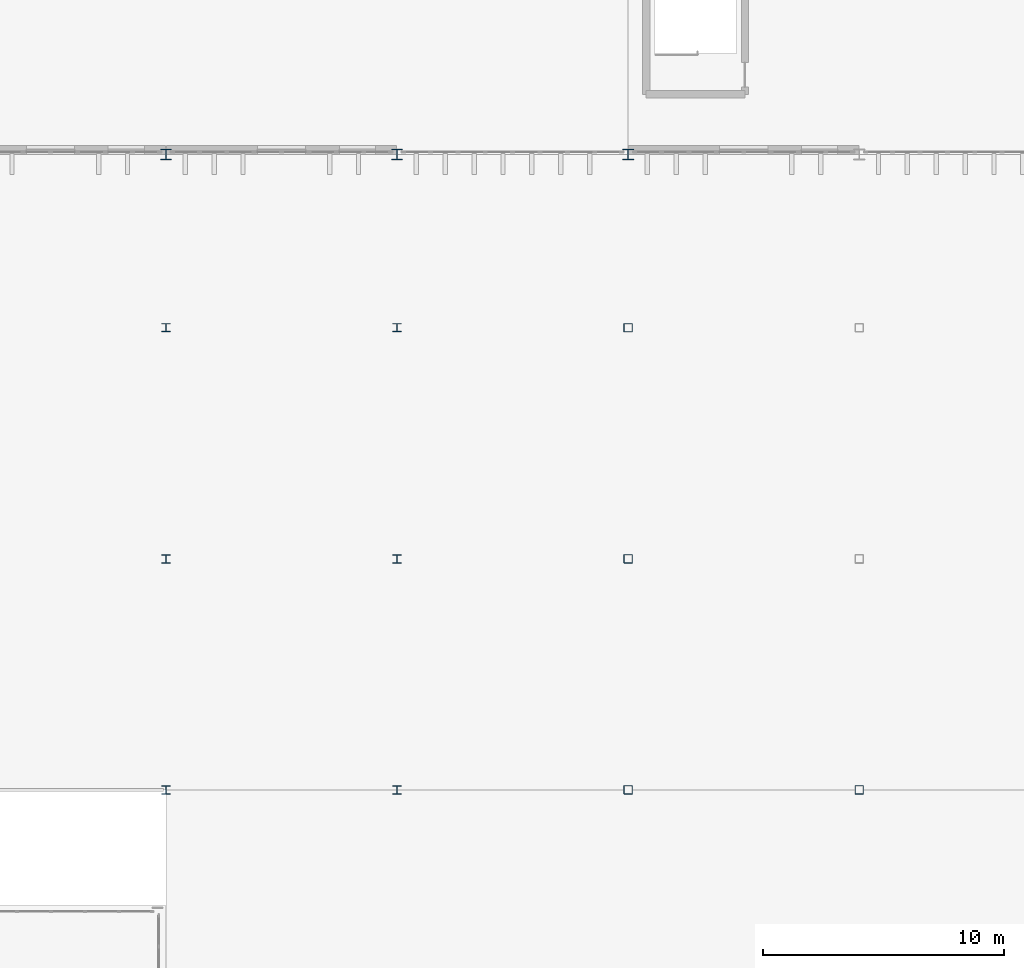
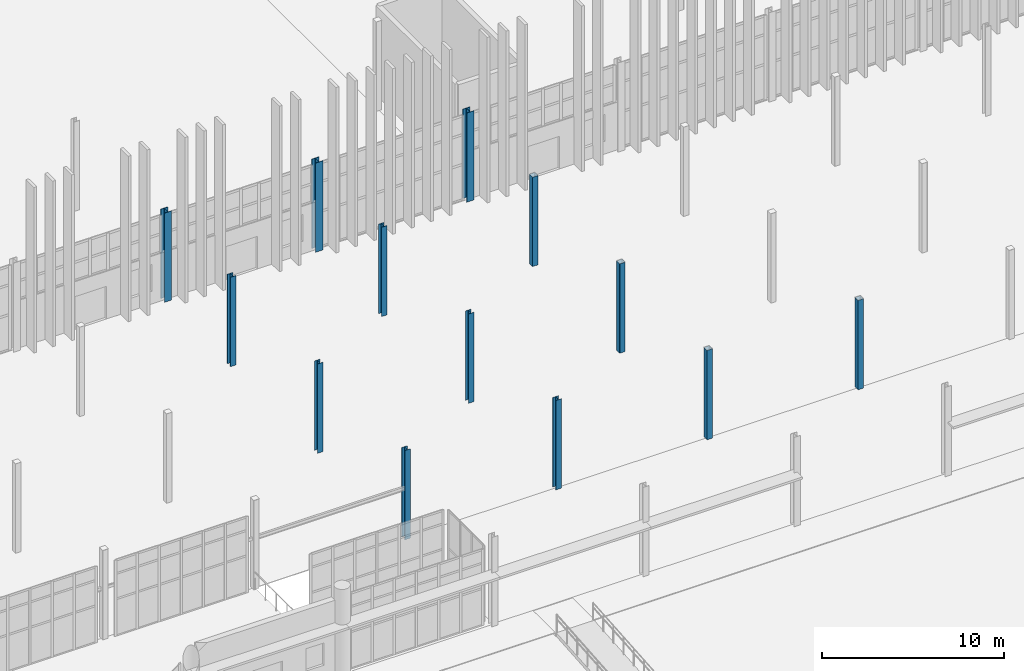
# One storey, part 6 of 139: 13 columns.
"""IFC4 building model written with IfcOpenShell, lengths in metres."""

from ifc_helpers import new_model, si_unit, direction, frame, origin, origin_2d, place, context, subcontext, project, spatial, hollow_rectangle, i_section, extrude, material, material_profile, profile_set, type_object, element, save


model = new_model("IFC4")

# Units and contexts
model_context = context("Model", 3, precision=1e-05, world=origin(), true_north=direction((0.0, 1.0)))
body_context = subcontext(model_context, "Body", "Model", "MODEL_VIEW")
ifc_project = project(units=[si_unit("LENGTHUNIT", "METRE"), si_unit("AREAUNIT", "SQUARE_METRE"), si_unit("VOLUMEUNIT", "CUBIC_METRE"), si_unit("PLANEANGLEUNIT", "RADIAN"), si_unit("MASSUNIT", "GRAM", prefix="KILO")], contexts=[model_context])

# Site, building, storey
site_placement = place(None, origin())
site = spatial("IfcSite", under=ifc_project, at=site_placement, CompositionType="ELEMENT")
building_placement = place(site_placement, origin())
building = spatial("IfcBuilding", under=site, at=building_placement, Name="Yeouljin Market Hall", CompositionType="ELEMENT")
storey_placement = place(building_placement, origin())
storey = spatial("IfcBuildingStorey", under=building, at=storey_placement, Name="L00", CompositionType="ELEMENT", Elevation=0.0)

# Columns
ifc_material_1 = material(Name="Steel SM355", Category="steel")
ifc_material_profile_1 = material_profile(ifc_material_1, i_section(OverallWidth=0.35009765625, OverallDepth=0.35009765625, WebThickness=0.011962890625, FlangeThickness=0.01904296875, FilletRadius=0.02001953125, at=origin_2d()), Name="H-350x350x12x19")
ifc_profile_set_1 = profile_set([ifc_material_profile_1], Name="Steel SM355")
column_type_1 = type_object("IfcColumnType", Name="Col_H-350x350x12x19", PredefinedType="COLUMN", material=ifc_profile_set_1)
for number, where, z_axis, x_axis, name in (
    (1, (64.199951171875, 9.60009765625, 0.0), (0.0, 0.0, 1.0), (1.0, 0.0, 0.0), "Column G-08-01 (L00)"),
    (2, (64.199951171875, 19.199951171875, 0.0), (0.0, 0.0, 1.0), (1.0, 0.0, 0.0), "Column G-08-02 (L00)"),
    (3, (64.199951171875, 28.800048828125, 0.0), (0.0, 0.0, 1.0), (1.0, 0.0, 0.0), "Column G-08-03 (L00)"),
    (4, (73.800048828125, 9.60009765625, 0.0), (0.0, 0.0, 1.0), (1.0, 0.0, 0.0), "Column G-09-01 (L00)"),
    (5, (73.800048828125, 19.199951171875, 0.0), (0.0, 0.0, 1.0), (1.0, 0.0, 0.0), "Column G-09-02 (L00)"),
    (6, (73.800048828125, 28.800048828125, 0.0), (0.0, 0.0, 1.0), (1.0, 0.0, 0.0), "Column G-09-03 (L00)"),
):
    element("IfcColumn", number, at=place(storey_placement, frame(where, z_axis=z_axis, x_axis=x_axis)), inside=storey, type_object=column_type_1, Name=name, PredefinedType="COLUMN", context=body_context, shape_type="SweptSolid", body=[
        extrude(i_section(OverallWidth=0.35009765625, OverallDepth=0.35009765625, WebThickness=0.011962890625, FlangeThickness=0.01904296875, FilletRadius=0.02001953125, at=origin_2d()), origin(), (0.0, 0.0, 1.0), 6.0),
    ])
ifc_material_2 = material(Name="Steel SM355", Category="steel")
ifc_material_profile_2 = material_profile(ifc_material_2, i_section(OverallWidth=0.449951171875, OverallDepth=0.449951171875, WebThickness=0.013916015625, FlangeThickness=0.02392578125, FilletRadius=0.02392578125, at=origin_2d()), Name="H-450x450x14x24")
ifc_profile_set_2 = profile_set([ifc_material_profile_2], Name="Steel SM355")
column_type_2 = type_object("IfcColumnType", Name="Col_H-450x450x14x24", PredefinedType="COLUMN", material=ifc_profile_set_2)
for number, where, z_axis, x_axis, name in (
    (7, (64.199951171875, 36.0, 0.0), (0.0, 0.0, 1.0), (1.0, 0.0, 0.0), "Column G-08-04 (L00)"),
    (8, (73.800048828125, 36.0, 0.0), (0.0, 0.0, 1.0), (1.0, 0.0, 0.0), "Column G-09-04 (L00)"),
    (9, (83.39990234375, 36.0, 0.0), (0.0, 0.0, 1.0), (1.0, 0.0, 0.0), "Column G-10-04 (L00)"),
):
    element("IfcColumn", number, at=place(storey_placement, frame(where, z_axis=z_axis, x_axis=x_axis)), inside=storey, type_object=column_type_2, Name=name, PredefinedType="COLUMN", context=body_context, shape_type="SweptSolid", body=[
        extrude(i_section(OverallWidth=0.449951171875, OverallDepth=0.449951171875, WebThickness=0.013916015625, FlangeThickness=0.02392578125, FilletRadius=0.02392578125, at=origin_2d()), origin(), (0.0, 0.0, 1.0), 6.0),
    ])
ifc_material_3 = material(Name="Steel SM355", Category="steel")
ifc_material_profile_3 = material_profile(ifc_material_3, hollow_rectangle(XDim=0.35009765625, YDim=0.35009765625, WallThickness=0.011962890625, InnerFilletRadius=0.011962890625, OuterFilletRadius=0.01611328125, at=origin_2d()), Name="SHS-350x350x12")
ifc_profile_set_3 = profile_set([ifc_material_profile_3], Name="Steel SM355")
column_type_3 = type_object("IfcColumnType", Name="Col_SHS-350x350x12", PredefinedType="COLUMN", material=ifc_profile_set_3)
for number, where, z_axis, x_axis, name in (
    (10, (83.39990234375, 9.60009765625, 0.0), (0.0, 0.0, 1.0), (1.0, 0.0, 0.0), "Column G-10-01 (L00)"),
    (11, (83.39990234375, 19.199951171875, 0.0), (0.0, 0.0, 1.0), (1.0, 0.0, 0.0), "Column G-10-02 (L00)"),
    (12, (83.39990234375, 28.800048828125, 0.0), (0.0, 0.0, 1.0), (1.0, 0.0, 0.0), "Column G-10-03 (L00)"),
    (13, (93.0, 9.60009765625, 0.0), (0.0, 0.0, 1.0), (1.0, 0.0, 0.0), "Column G-11-01 (L00)"),
):
    element("IfcColumn", number, at=place(storey_placement, frame(where, z_axis=z_axis, x_axis=x_axis)), inside=storey, type_object=column_type_3, Name=name, PredefinedType="COLUMN", context=body_context, shape_type="SweptSolid", body=[
        extrude(hollow_rectangle(XDim=0.35009765625, YDim=0.35009765625, WallThickness=0.011962890625, InnerFilletRadius=0.011962890625, OuterFilletRadius=0.01611328125, at=origin_2d()), origin(), (0.0, 0.0, 1.0), 6.0),
    ])

save(model, "model.ifc")
